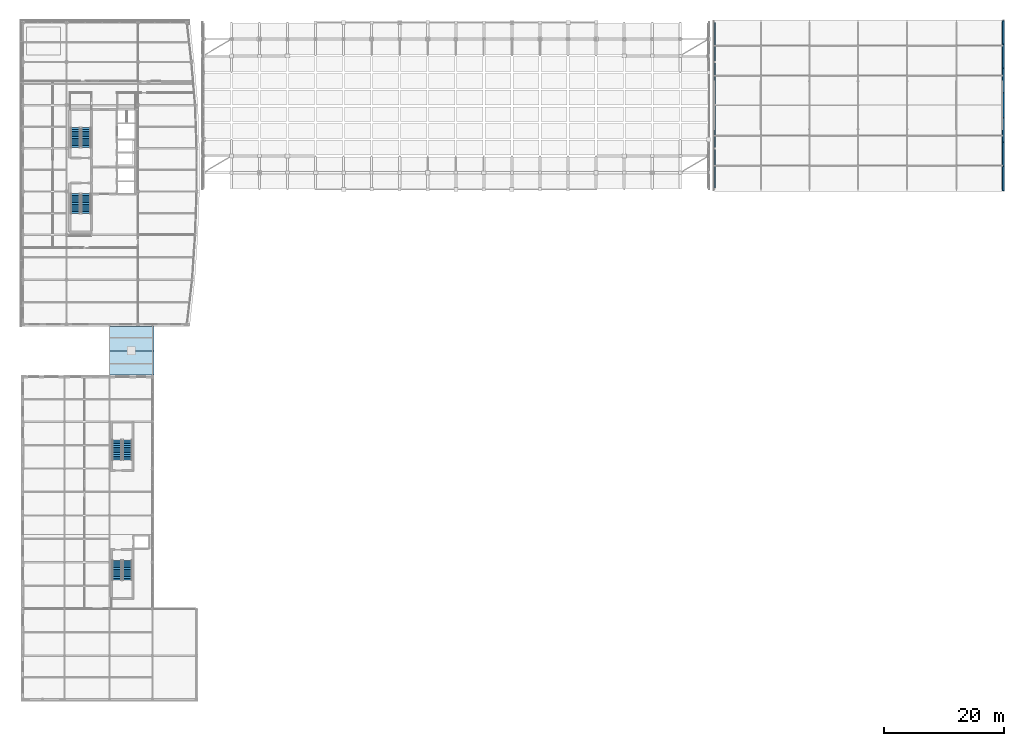
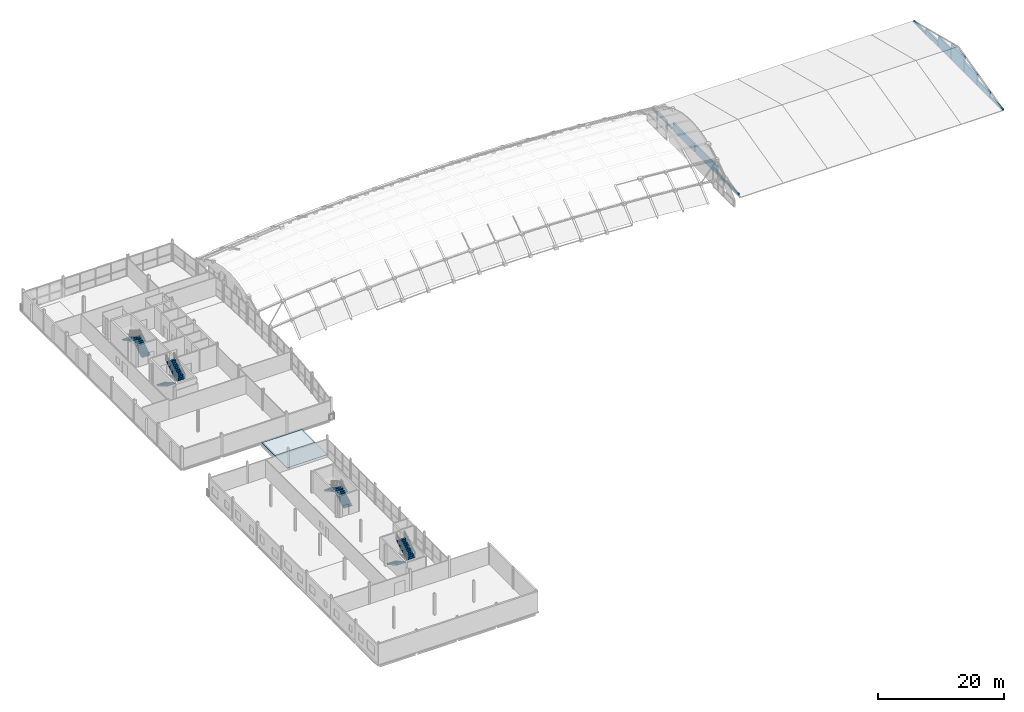
# One storey, part 57 of 65: 11 walls, 8 stair flights, 2 roofs, 4 elements without a shape of their own.
"""IFC4 building model written with IfcOpenShell, lengths in metres."""

from ifc_helpers import new_model, si_unit, direction, frame, frame_2d, origin, place, context, subcontext, project, spatial, polyline, rectangle, outline, extrude, material, layer, layer_set, type_object, element, aggregate, save


model = new_model("IFC4")

# Units and contexts
model_context = context("Model", 3, precision=1e-05, world=origin(), true_north=direction((0.0, 1.0)))
body_context = subcontext(model_context, "Body", "Model", "MODEL_VIEW")
ifc_project = project(units=[si_unit("LENGTHUNIT", "METRE"), si_unit("AREAUNIT", "SQUARE_METRE"), si_unit("VOLUMEUNIT", "CUBIC_METRE"), si_unit("PLANEANGLEUNIT", "RADIAN"), si_unit("MASSUNIT", "GRAM", prefix="KILO")], contexts=[model_context])

# Site, building, storey
site_placement = place(None, origin())
site = spatial("IfcSite", under=ifc_project, at=site_placement, CompositionType="ELEMENT")
building_placement = place(site_placement, origin())
building = spatial("IfcBuilding", under=site, at=building_placement, Name="Quillay Park Conservatory", CompositionType="ELEMENT")
storey_placement = place(building_placement, frame((0.0, 0.0, 14.10009765625)))
storey = spatial("IfcBuildingStorey", under=building, at=storey_placement, Name="L03", CompositionType="ELEMENT", Elevation=14.10009765625)

# Walls
ifc_material_1 = material(Name="Glass-Fibre Reinforced Concrete (GRC) Cladding", Category="concrete")
ifc_layer_1 = layer(ifc_material_1, 0.239990234375)
ifc_layer_set_1 = layer_set([ifc_layer_1], Name="EXTERIOR SOLID WALL 240 (Glass-Fibre Reinforced Concrete (GRC) Cladding)")
wall_type_1 = type_object("IfcWallType", Name="EXTERIOR SOLID WALL 240", PredefinedType="SOLIDWALL", material=ifc_layer_set_1)
wall_1_placement = place(storey_placement, frame((115.85009765625, 85.800048828125, -1.400146484375), z_axis=(0.0, 0.0, 1.0), x_axis=(0.0, 1.0, 0.0)))
element("IfcWall", 1, at=wall_1_placement, inside=storey, type_object=wall_type_1, Name="L03 Auditorium West Gable Wall 1", PredefinedType="SOLIDWALL", context=body_context, shape_type="SweptSolid", body=[
    extrude(rectangle(XDim=6.39990234375, YDim=0.239990234375, at=frame_2d((3.199951171875, 0.0))), origin(), (0.0, 0.0, 1.0), 0.35009765625),
])
wall_2_placement = place(storey_placement, frame((115.85009765625, 92.60009765625, -1.400146484375), z_axis=(0.0, 0.0, 1.0), x_axis=(0.0, 1.0, 0.0)))
element("IfcWall", 2, at=wall_2_placement, inside=storey, type_object=wall_type_1, Name="L03 Auditorium West Gable Wall 2", PredefinedType="SOLIDWALL", context=body_context, shape_type="SweptSolid", body=[
    extrude(rectangle(XDim=6.7998046875, YDim=0.239990234375, at=frame_2d((3.39990234375, 0.0))), origin(), (0.0, 0.0, 1.0), 1.625),
])
wall_3_placement = place(storey_placement, frame((115.85009765625, 99.800048828125, -1.400146484375), z_axis=(0.0, 0.0, 1.0), x_axis=(0.0, 1.0, 0.0)))
element("IfcWall", 3, at=wall_3_placement, inside=storey, type_object=wall_type_1, Name="L03 Auditorium West Gable Wall 3", PredefinedType="SOLIDWALL", context=body_context, shape_type="SweptSolid", body=[
    extrude(rectangle(XDim=6.800048828125, YDim=0.239990234375, at=frame_2d((3.39990234375, 0.0))), origin(), (0.0, 0.0, 1.0), 1.600341796875),
])
wall_4_placement = place(storey_placement, frame((115.85009765625, 107.0, -1.400146484375), z_axis=(0.0, 0.0, 1.0), x_axis=(0.0, 1.0, 0.0)))
element("IfcWall", 4, at=wall_4_placement, inside=storey, type_object=wall_type_1, Name="L03 Auditorium West Gable Wall 4", PredefinedType="SOLIDWALL", context=body_context, shape_type="SweptSolid", body=[
    extrude(rectangle(XDim=6.300048828125, YDim=0.239990234375, at=frame_2d((3.14990234375, 0.0))), origin(), (0.0, 0.0, 1.0), 0.35009765625),
])
ifc_material_2 = material(Name="Concrete C35/45 (NCh170 Concrete C35/45)", Category="concrete")
ifc_layer_2 = layer(ifc_material_2, 0.300048828125)
ifc_layer_set_2 = layer_set([ifc_layer_2], Name="SOLID FIREWALL 300 (Concrete C35/45 (NCh170 Concrete C35/45))")
wall_type_2 = type_object("IfcWallType", Name="SOLID FIREWALL 300", PredefinedType="SOLIDWALL", material=ifc_layer_set_2)
wall_5_placement = place(storey_placement, frame((164.0, 89.39990234375, -1.5), z_axis=(0.0, 0.0, 1.0), x_axis=(0.0, -1.0, 0.0)))
element("IfcWall", 5, at=wall_5_placement, inside=storey, type_object=wall_type_2, Name="L03 Auditorium East Gable Firewall 1", PredefinedType="SOLIDWALL", context=body_context, shape_type="SweptSolid", body=[
    extrude(rectangle(XDim=4.0498046875, YDim=0.300048828125, at=frame_2d((2.02490234375, 0.0))), origin(), (0.0, 0.0, 1.0), 0.349853515625),
])
wall_6_placement = place(storey_placement, frame((164.0, 93.449951171875, -1.5), z_axis=(0.0, 0.0, 1.0), x_axis=(0.0, -1.0, 0.0)))
element("IfcWall", 6, at=wall_6_placement, inside=storey, type_object=wall_type_2, Name="L03 Auditorium East Gable Firewall 2", PredefinedType="SOLIDWALL", context=body_context, shape_type="SweptSolid", body=[
    extrude(rectangle(XDim=4.050048828125, YDim=0.300048828125, at=frame_2d((2.02490234375, 0.0))), origin(), (0.0, 0.0, 1.0), 1.044921875),
])
wall_7_placement = place(storey_placement, frame((164.0, 97.5, -1.5), z_axis=(0.0, 0.0, 1.0), x_axis=(0.0, -1.0, 0.0)))
element("IfcWall", 7, at=wall_7_placement, inside=storey, type_object=wall_type_2, Name="L03 Auditorium East Gable Firewall 3", PredefinedType="SOLIDWALL", context=body_context, shape_type="SweptSolid", body=[
    extrude(rectangle(XDim=4.050048828125, YDim=0.300048828125, at=frame_2d((2.02490234375, 0.0))), origin(), (0.0, 0.0, 1.0), 2.057373046875),
])
wall_8_placement = place(storey_placement, frame((164.0, 101.699951171875, -1.5), z_axis=(0.0, 0.0, 1.0), x_axis=(0.0, -1.0, 0.0)))
element("IfcWall", 8, at=wall_8_placement, inside=storey, type_object=wall_type_2, Name="L03 Auditorium East Gable Firewall 4", PredefinedType="SOLIDWALL", context=body_context, shape_type="SweptSolid", body=[
    extrude(rectangle(XDim=4.199951171875, YDim=0.300048828125, at=frame_2d((2.10009765625, 0.0))), origin(), (0.0, 0.0, 1.0), 3.0625),
])
wall_9_placement = place(storey_placement, frame((164.0, 105.75, -1.5), z_axis=(0.0, 0.0, 1.0), x_axis=(0.0, -1.0, 0.0)))
element("IfcWall", 9, at=wall_9_placement, inside=storey, type_object=wall_type_2, Name="L03 Auditorium East Gable Firewall 5", PredefinedType="SOLIDWALL", context=body_context, shape_type="SweptSolid", body=[
    extrude(rectangle(XDim=4.050048828125, YDim=0.300048828125, at=frame_2d((2.02490234375, 0.0))), origin(), (0.0, 0.0, 1.0), 2.03564453125),
])
wall_10_placement = place(storey_placement, frame((164.0, 109.75, -1.5), z_axis=(0.0, 0.0, 1.0), x_axis=(0.0, -1.0, 0.0)))
element("IfcWall", 10, at=wall_10_placement, inside=storey, type_object=wall_type_2, Name="L03 Auditorium East Gable Firewall 6", PredefinedType="SOLIDWALL", context=body_context, shape_type="SweptSolid", body=[
    extrude(rectangle(XDim=4.0, YDim=0.300048828125, at=frame_2d((2.0, 0.0))), origin(), (0.0, 0.0, 1.0), 1.021728515625),
])
wall_11_placement = place(storey_placement, frame((164.0, 113.64990234375, -1.5), z_axis=(0.0, 0.0, 1.0), x_axis=(0.0, -1.0, 0.0)))
element("IfcWall", 11, at=wall_11_placement, inside=storey, type_object=wall_type_2, Name="L03 Auditorium East Gable Firewall 7", PredefinedType="SOLIDWALL", context=body_context, shape_type="SweptSolid", body=[
    extrude(rectangle(XDim=3.89990234375, YDim=0.300048828125, at=frame_2d((1.949951171875, 0.0))), origin(), (0.0, 0.0, 1.0), 0.349853515625),
])

# Stair, stair flights
ifc_material_3 = material(Name="Concrete C35/45 (NCh170 Concrete C35/45)", Category="concrete")
stair_type = type_object("IfcStairType", Name="ENCLOSED DOG LEG STAIR 4200", PredefinedType="HALF_TURN_STAIR", material=ifc_material_3)
stair_1_placement = place(storey_placement, origin())
stair_1 = element("IfcStair", 12, at=stair_1_placement, inside=storey, type_object=stair_type, Name="L03 Tower Protected Exit Stair 1", PredefinedType="HALF_TURN_STAIR")
ifc_material_4 = material(Name="Concrete C35/45 (NCh170 Concrete C35/45)", Category="concrete")
stair_flight_type = type_object("IfcStairFlightType", Name="STRAIGHT STAIR FLIGHT 4200", PredefinedType="STRAIGHT", material=ifc_material_4)
stair_flight_1_placement = place(storey_placement, frame((11.090087890625, 92.550048828125, 0.0), z_axis=(0.0, 0.0, 1.0), x_axis=(0.0, 1.0, 0.0)))
stair_flight_1 = element("IfcStairFlight", 13, at=stair_flight_1_placement, type_object=stair_flight_type, Name="ST-T1 flight 1", NumberOfRisers=12, NumberOfTreads=11, PredefinedType="STRAIGHT", RiserHeight=0.175, TreadLength=0.3, context=body_context, shape_type="SweptSolid", body=[
    extrude(outline(polyline([(0.0, 0.0), (0.0, 0.175048828125), (0.300048828125, 0.175048828125), (0.300048828125, 0.35009765625), (0.60009765625, 0.35009765625), (0.60009765625, 0.52490234375), (0.89990234375, 0.52490234375), (0.89990234375, 0.699951171875), (1.199951171875, 0.699951171875), (1.199951171875, 0.875), (1.5, 0.875), (1.5, 1.050048828125), (1.800048828125, 1.050048828125), (1.800048828125, 1.22509765625), (2.10009765625, 1.22509765625), (2.10009765625, 1.39990234375), (2.39990234375, 1.39990234375), (2.39990234375, 1.574951171875), (2.699951171875, 1.574951171875), (2.699951171875, 1.75), (3.0, 1.75), (3.0, 1.925048828125), (3.300048828125, 1.925048828125), (3.300048828125, 2.10009765625), (3.300048828125, 1.75146484375), (0.297607421875, 0.0), (0.0, 0.0)])), frame((0.0, 0.780029296875, 0.0), z_axis=(0.0, -1.0, 0.0), x_axis=(1.0, 0.0, 0.0)), (0.0, 0.0, 1.0), 1.56005859375),
])
stair_flight_2_placement = place(storey_placement, frame((9.330078125, 95.85009765625, 2.099853515625), z_axis=(0.0, 0.0, 1.0), x_axis=(0.0, -1.0, 0.0)))
stair_flight_2 = element("IfcStairFlight", 14, at=stair_flight_2_placement, type_object=stair_flight_type, Name="ST-T1 flight 2", NumberOfRisers=12, NumberOfTreads=11, PredefinedType="STRAIGHT", RiserHeight=0.175, TreadLength=0.3, context=body_context, shape_type="SweptSolid", body=[
    extrude(outline(polyline([(0.0, 0.0), (0.0, 0.175048828125), (0.300048828125, 0.175048828125), (0.300048828125, 0.35009765625), (0.60009765625, 0.35009765625), (0.60009765625, 0.52490234375), (0.89990234375, 0.52490234375), (0.89990234375, 0.699951171875), (1.199951171875, 0.699951171875), (1.199951171875, 0.875), (1.5, 0.875), (1.5, 1.050048828125), (1.800048828125, 1.050048828125), (1.800048828125, 1.22509765625), (2.10009765625, 1.22509765625), (2.10009765625, 1.39990234375), (2.39990234375, 1.39990234375), (2.39990234375, 1.574951171875), (2.699951171875, 1.574951171875), (2.699951171875, 1.75), (3.0, 1.75), (3.0, 1.925048828125), (3.300048828125, 1.925048828125), (3.300048828125, 2.10009765625), (3.300048828125, 1.75146484375), (0.297607421875, 0.0), (0.0, 0.0)])), frame((0.0, 0.780029296875, 0.0), z_axis=(0.0, -1.0, 0.0), x_axis=(1.0, 0.0, 0.0)), (0.0, 0.0, 1.0), 1.56005859375),
])
aggregate(stair_1, [stair_flight_1, stair_flight_2])

stair_2_placement = place(storey_placement, origin())
stair_2 = element("IfcStair", 15, at=stair_2_placement, inside=storey, type_object=stair_type, Name="L03 Tower Protected Exit Stair 2", PredefinedType="HALF_TURN_STAIR")
stair_flight_3_placement = place(storey_placement, frame((9.330078125, 84.85009765625, 0.0), z_axis=(0.0, 0.0, 1.0), x_axis=(0.0, -1.0, 0.0)))
stair_flight_3 = element("IfcStairFlight", 16, at=stair_flight_3_placement, type_object=stair_flight_type, Name="ST-T2 flight 1", NumberOfRisers=12, NumberOfTreads=11, PredefinedType="STRAIGHT", RiserHeight=0.175, TreadLength=0.3, context=body_context, shape_type="SweptSolid", body=[
    extrude(outline(polyline([(0.0, 0.0), (0.0, 0.175048828125), (0.300048828125, 0.175048828125), (0.300048828125, 0.35009765625), (0.60009765625, 0.35009765625), (0.60009765625, 0.52490234375), (0.89990234375, 0.52490234375), (0.89990234375, 0.699951171875), (1.199951171875, 0.699951171875), (1.199951171875, 0.875), (1.5, 0.875), (1.5, 1.050048828125), (1.800048828125, 1.050048828125), (1.800048828125, 1.22509765625), (2.10009765625, 1.22509765625), (2.10009765625, 1.39990234375), (2.39990234375, 1.39990234375), (2.39990234375, 1.574951171875), (2.699951171875, 1.574951171875), (2.699951171875, 1.75), (3.0, 1.75), (3.0, 1.925048828125), (3.300048828125, 1.925048828125), (3.300048828125, 2.10009765625), (3.300048828125, 1.75146484375), (0.297607421875, 0.0), (0.0, 0.0)])), frame((0.0, 0.780029296875, 0.0), z_axis=(0.0, -1.0, 0.0), x_axis=(1.0, 0.0, 0.0)), (0.0, 0.0, 1.0), 1.56005859375),
])
stair_flight_4_placement = place(storey_placement, frame((11.090087890625, 81.550048828125, 2.099853515625), z_axis=(0.0, 0.0, 1.0), x_axis=(0.0, 1.0, 0.0)))
stair_flight_4 = element("IfcStairFlight", 17, at=stair_flight_4_placement, type_object=stair_flight_type, Name="ST-T2 flight 2", NumberOfRisers=12, NumberOfTreads=11, PredefinedType="STRAIGHT", RiserHeight=0.175, TreadLength=0.3, context=body_context, shape_type="SweptSolid", body=[
    extrude(outline(polyline([(0.0, 0.0), (0.0, 0.175048828125), (0.300048828125, 0.175048828125), (0.300048828125, 0.35009765625), (0.60009765625, 0.35009765625), (0.60009765625, 0.52490234375), (0.89990234375, 0.52490234375), (0.89990234375, 0.699951171875), (1.199951171875, 0.699951171875), (1.199951171875, 0.875), (1.5, 0.875), (1.5, 1.050048828125), (1.800048828125, 1.050048828125), (1.800048828125, 1.22509765625), (2.10009765625, 1.22509765625), (2.10009765625, 1.39990234375), (2.39990234375, 1.39990234375), (2.39990234375, 1.574951171875), (2.699951171875, 1.574951171875), (2.699951171875, 1.75), (3.0, 1.75), (3.0, 1.925048828125), (3.300048828125, 1.925048828125), (3.300048828125, 2.10009765625), (3.300048828125, 1.75146484375), (0.297607421875, 0.0), (0.0, 0.0)])), frame((0.0, 0.780029296875, 0.0), z_axis=(0.0, -1.0, 0.0), x_axis=(1.0, 0.0, 0.0)), (0.0, 0.0, 1.0), 1.56005859375),
])
aggregate(stair_2, [stair_flight_3, stair_flight_4])

stair_3_placement = place(storey_placement, origin())
stair_3 = element("IfcStair", 18, at=stair_3_placement, inside=storey, type_object=stair_type, Name="L03 Visitor Centre Exit Stair 1", PredefinedType="HALF_TURN_STAIR")
stair_flight_5_placement = place(storey_placement, frame((16.22998046875, 23.699951171875, 0.0), z_axis=(0.0, 0.0, 1.0), x_axis=(0.0, -1.0, 0.0)))
stair_flight_5 = element("IfcStairFlight", 19, at=stair_flight_5_placement, type_object=stair_flight_type, Name="ST-V1 flight 1", NumberOfRisers=12, NumberOfTreads=11, PredefinedType="STRAIGHT", RiserHeight=0.175, TreadLength=0.3, context=body_context, shape_type="SweptSolid", body=[
    extrude(outline(polyline([(0.0, 0.0), (0.0, 0.175048828125), (0.300048828125, 0.175048828125), (0.300048828125, 0.35009765625), (0.60009765625, 0.35009765625), (0.60009765625, 0.52490234375), (0.89990234375, 0.52490234375), (0.89990234375, 0.699951171875), (1.199951171875, 0.699951171875), (1.199951171875, 0.875), (1.5, 0.875), (1.5, 1.050048828125), (1.800048828125, 1.050048828125), (1.800048828125, 1.22509765625), (2.10009765625, 1.22509765625), (2.10009765625, 1.39990234375), (2.39990234375, 1.39990234375), (2.39990234375, 1.574951171875), (2.699951171875, 1.574951171875), (2.699951171875, 1.75), (3.0, 1.75), (3.0, 1.925048828125), (3.300048828125, 1.925048828125), (3.300048828125, 2.10009765625), (3.300048828125, 1.75146484375), (0.297607421875, 0.0), (0.0, 0.0)])), frame((0.0, 0.780029296875, 0.0), z_axis=(0.0, -1.0, 0.0), x_axis=(1.0, 0.0, 0.0)), (0.0, 0.0, 1.0), 1.56005859375),
])
stair_flight_6_placement = place(storey_placement, frame((17.989990234375, 20.39990234375, 2.099853515625), z_axis=(0.0, 0.0, 1.0), x_axis=(0.0, 1.0, 0.0)))
stair_flight_6 = element("IfcStairFlight", 20, at=stair_flight_6_placement, type_object=stair_flight_type, Name="ST-V1 flight 2", NumberOfRisers=12, NumberOfTreads=11, PredefinedType="STRAIGHT", RiserHeight=0.175, TreadLength=0.3, context=body_context, shape_type="SweptSolid", body=[
    extrude(outline(polyline([(0.0, 0.0), (0.0, 0.175048828125), (0.300048828125, 0.175048828125), (0.300048828125, 0.35009765625), (0.60009765625, 0.35009765625), (0.60009765625, 0.52490234375), (0.89990234375, 0.52490234375), (0.89990234375, 0.699951171875), (1.199951171875, 0.699951171875), (1.199951171875, 0.875), (1.5, 0.875), (1.5, 1.050048828125), (1.800048828125, 1.050048828125), (1.800048828125, 1.22509765625), (2.10009765625, 1.22509765625), (2.10009765625, 1.39990234375), (2.39990234375, 1.39990234375), (2.39990234375, 1.574951171875), (2.699951171875, 1.574951171875), (2.699951171875, 1.75), (3.0, 1.75), (3.0, 1.925048828125), (3.300048828125, 1.925048828125), (3.300048828125, 2.10009765625), (3.300048828125, 1.75146484375), (0.297607421875, 0.0), (0.0, 0.0)])), frame((0.0, 0.780029296875, 0.0), z_axis=(0.0, -1.0, 0.0), x_axis=(1.0, 0.0, 0.0)), (0.0, 0.0, 1.0), 1.56005859375),
])
aggregate(stair_3, [stair_flight_5, stair_flight_6])

stair_4_placement = place(storey_placement, origin())
stair_4 = element("IfcStair", 21, at=stair_4_placement, inside=storey, type_object=stair_type, Name="L03 Visitor Centre Exit Stair 2", PredefinedType="HALF_TURN_STAIR")
stair_flight_7_placement = place(storey_placement, frame((17.989990234375, 40.449951171875, 0.0), z_axis=(0.0, 0.0, 1.0), x_axis=(0.0, 1.0, 0.0)))
stair_flight_7 = element("IfcStairFlight", 22, at=stair_flight_7_placement, type_object=stair_flight_type, Name="ST-V2 flight 1", NumberOfRisers=12, NumberOfTreads=11, PredefinedType="STRAIGHT", RiserHeight=0.175, TreadLength=0.3, context=body_context, shape_type="SweptSolid", body=[
    extrude(outline(polyline([(0.0, 0.0), (0.0, 0.175048828125), (0.300048828125, 0.175048828125), (0.300048828125, 0.35009765625), (0.60009765625, 0.35009765625), (0.60009765625, 0.52490234375), (0.89990234375, 0.52490234375), (0.89990234375, 0.699951171875), (1.199951171875, 0.699951171875), (1.199951171875, 0.875), (1.5, 0.875), (1.5, 1.050048828125), (1.800048828125, 1.050048828125), (1.800048828125, 1.22509765625), (2.10009765625, 1.22509765625), (2.10009765625, 1.39990234375), (2.39990234375, 1.39990234375), (2.39990234375, 1.574951171875), (2.699951171875, 1.574951171875), (2.699951171875, 1.75), (3.0, 1.75), (3.0, 1.925048828125), (3.300048828125, 1.925048828125), (3.300048828125, 2.10009765625), (3.300048828125, 1.75146484375), (0.297607421875, 0.0), (0.0, 0.0)])), frame((0.0, 0.780029296875, 0.0), z_axis=(0.0, -1.0, 0.0), x_axis=(1.0, 0.0, 0.0)), (0.0, 0.0, 1.0), 1.56005859375),
])
stair_flight_8_placement = place(storey_placement, frame((16.22998046875, 43.75, 2.099853515625), z_axis=(0.0, 0.0, 1.0), x_axis=(0.0, -1.0, 0.0)))
stair_flight_8 = element("IfcStairFlight", 23, at=stair_flight_8_placement, type_object=stair_flight_type, Name="ST-V2 flight 2", NumberOfRisers=12, NumberOfTreads=11, PredefinedType="STRAIGHT", RiserHeight=0.175, TreadLength=0.3, context=body_context, shape_type="SweptSolid", body=[
    extrude(outline(polyline([(0.0, 0.0), (0.0, 0.175048828125), (0.300048828125, 0.175048828125), (0.300048828125, 0.35009765625), (0.60009765625, 0.35009765625), (0.60009765625, 0.52490234375), (0.89990234375, 0.52490234375), (0.89990234375, 0.699951171875), (1.199951171875, 0.699951171875), (1.199951171875, 0.875), (1.5, 0.875), (1.5, 1.050048828125), (1.800048828125, 1.050048828125), (1.800048828125, 1.22509765625), (2.10009765625, 1.22509765625), (2.10009765625, 1.39990234375), (2.39990234375, 1.39990234375), (2.39990234375, 1.574951171875), (2.699951171875, 1.574951171875), (2.699951171875, 1.75), (3.0, 1.75), (3.0, 1.925048828125), (3.300048828125, 1.925048828125), (3.300048828125, 2.10009765625), (3.300048828125, 1.75146484375), (0.297607421875, 0.0), (0.0, 0.0)])), frame((0.0, 0.780029296875, 0.0), z_axis=(0.0, -1.0, 0.0), x_axis=(1.0, 0.0, 0.0)), (0.0, 0.0, 1.0), 1.56005859375),
])
aggregate(stair_4, [stair_flight_7, stair_flight_8])

# Roofs
ifc_material_5 = material(Name="Insulated TPO & Extensive Vegetated Roof Assembly", Category="aluminium")
roof_type = type_object("IfcRoofType", Name="FACETED CANOPY ROOF ASSEMBLY", PredefinedType="FREEFORM", material=ifc_material_5)
roof_1_placement = place(storey_placement, origin())
element("IfcRoof", 24, at=roof_1_placement, inside=storey, type_object=roof_type, Name="Canopy Roof Assembly 3", PredefinedType="FREEFORM", context=body_context, shape_type="SweptSolid", body=[
    extrude(outline(polyline([(15.0, 54.60009765625), (22.39990234375, 54.60009765625), (22.39990234375, 58.60009765625), (15.0, 58.60009765625), (15.0, 54.60009765625)])), origin(), (0.0, 0.0, 1.0), 0.054931640625),
])
roof_2_placement = place(storey_placement, origin())
element("IfcRoof", 25, at=roof_2_placement, inside=storey, type_object=roof_type, Name="Canopy Roof Assembly 4", PredefinedType="FREEFORM", context=body_context, shape_type="SweptSolid", body=[
    extrude(outline(polyline([(15.0, 58.60009765625), (22.39990234375, 58.60009765625), (22.39990234375, 62.699951171875), (15.0, 62.699951171875), (15.0, 58.60009765625)])), origin(), (0.0, 0.0, 1.0), 0.054931640625),
])

save(model, "model.ifc")
